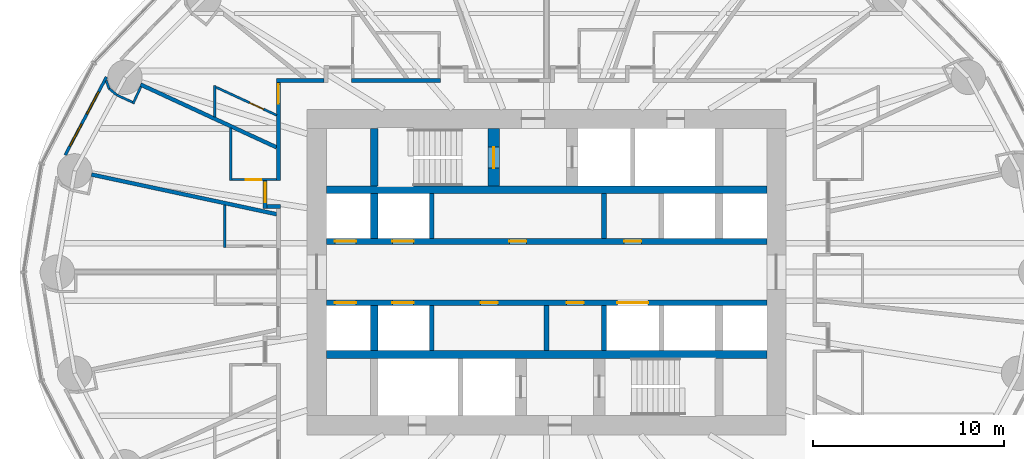
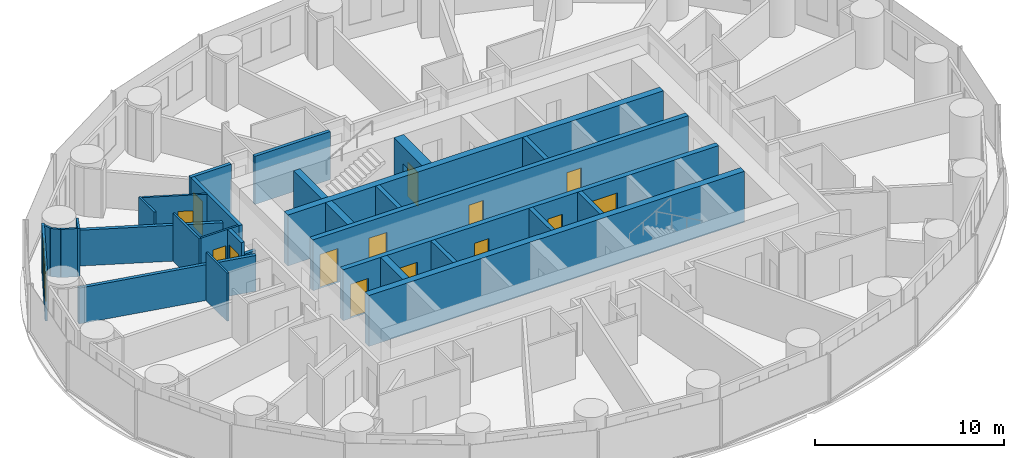
# One storey, part 8 of 14: 30 walls, 14 doors, 2 windows, 16 openings.
"""IFC4 building model written with IfcOpenShell, lengths in metres."""

from ifc_helpers import new_model, si_unit, direction, frame, frame_2d, origin, place, context, subcontext, project, spatial, rectangle, extrude, material, layer, layer_set, type_object, element, fill, save


model = new_model("IFC4")

# Units and contexts
model_context = context("Model", 3, precision=1e-05, world=origin(), true_north=direction((0.0, 1.0)))
body_context = subcontext(model_context, "Body", "Model", "MODEL_VIEW")
ifc_project = project(units=[si_unit("LENGTHUNIT", "METRE"), si_unit("AREAUNIT", "SQUARE_METRE"), si_unit("VOLUMEUNIT", "CUBIC_METRE"), si_unit("PLANEANGLEUNIT", "RADIAN"), si_unit("MASSUNIT", "GRAM", prefix="KILO")], contexts=[model_context])

# Site, building, storey
site_placement = place(None, origin())
site = spatial("IfcSite", under=ifc_project, at=site_placement, CompositionType="ELEMENT")
building_placement = place(site_placement, origin())
building = spatial("IfcBuilding", under=site, at=building_placement, Name="Hankou Lantern Tower", CompositionType="ELEMENT")
storey_placement = place(building_placement, frame((0.0, 0.0, 32.699951171875)))
storey = spatial("IfcBuildingStorey", under=building, at=storey_placement, Name="L06", CompositionType="ELEMENT", Elevation=32.699951171875)

# Walls
ifc_material_1 = material(Name="Concrete C60", Category="concrete")
ifc_layer_1 = layer(ifc_material_1, 0.39990234375)
ifc_layer_set_1 = layer_set([ifc_layer_1], Name="Concrete C60")
wall_type_1 = type_object("IfcWallType", Name="CW4 CORE CROSS WALL 400", PredefinedType="SHEAR", material=ifc_layer_set_1)
for number, where, z_axis, x_axis, name in (
    (1, (-11.5, 4.300048828125, 0.0), (0.0, 0.0, 1.0), (1.0, 0.0, 0.0), "Core band wall north L06"),
    (2, (-11.5, -4.300048828125, 0.0), (0.0, 0.0, 1.0), (1.0, 0.0, 0.0), "Core band wall south L06"),
):
    element("IfcWall", number, at=place(storey_placement, frame(where, z_axis=z_axis, x_axis=x_axis)), inside=storey, type_object=wall_type_1, Name=name, PredefinedType="SHEAR", context=body_context, shape_type="SweptSolid", body=[
        extrude(rectangle(XDim=23.0, YDim=0.39990234375, at=frame_2d((11.5, 0.0))), origin(), (0.0, 0.0, 1.0), 3.300048828125),
    ])
wall_1_placement = place(storey_placement, frame((-9.0, 4.5, 0.0), z_axis=(0.0, 0.0, 1.0), x_axis=(0.0, 1.0, 0.0)))
element("IfcWall", 3, at=wall_1_placement, inside=storey, type_object=wall_type_1, Name="Core strip wall L06", PredefinedType="SHEAR", context=body_context, shape_type="SweptSolid", body=[
    extrude(rectangle(XDim=3.0, YDim=0.39990234375, at=frame_2d((1.5, 0.0))), origin(), (0.0, 0.0, 1.0), 3.300048828125),
])
for number, where, z_axis, x_axis, name in (
    (4, (-9.0, 1.75, 0.0), (0.0, 0.0, 1.0), (0.0, 1.0, 0.0), "Core strip wall L06"),
    (5, (-9.0, -4.10009765625, 0.0), (0.0, 0.0, 1.0), (0.0, 1.0, 0.0), "Core strip wall L06"),
):
    element("IfcWall", number, at=place(storey_placement, frame(where, z_axis=z_axis, x_axis=x_axis)), inside=storey, type_object=wall_type_1, Name=name, PredefinedType="SHEAR", context=body_context, shape_type="SweptSolid", body=[
        extrude(rectangle(XDim=2.35009765625, YDim=0.39990234375, at=frame_2d((1.175048828125, 0.0))), origin(), (0.0, 0.0, 1.0), 3.300048828125),
    ])

# Wall, openings, doors
ifc_material_2 = material(Name="Concrete C60", Category="concrete")
ifc_layer_2 = layer(ifc_material_2, 0.300048828125)
ifc_layer_set_2 = layer_set([ifc_layer_2], Name="Concrete C60")
wall_type_2 = type_object("IfcWallType", Name="CW5 LIFT LOBBY WALL 300", PredefinedType="SHEAR", material=ifc_layer_set_2)
wall_2_placement = place(storey_placement, frame((-11.5, 1.60009765625, 0.0), z_axis=(0.0, 0.0, 1.0), x_axis=(1.0, 0.0, 0.0)))
wall_2 = element("IfcWall", 6, at=wall_2_placement, inside=storey, type_object=wall_type_2, Name="Lift lobby wall north L06", PredefinedType="SHEAR", context=body_context, shape_type="SweptSolid", body=[
    extrude(rectangle(XDim=23.0, YDim=0.300048828125, at=frame_2d((11.5, 0.0))), origin(), (0.0, 0.0, 1.0), 3.300048828125),
])
opening_1_placement = place(wall_2_placement, frame((0.449951171875, 0.0, 0.0)))
opening_1 = element("IfcOpeningElement", 7, at=opening_1_placement, cuts=wall_2, Name="Opening LD1", PredefinedType="OPENING", context=body_context, shape_type="SweptSolid", body=[
    extrude(rectangle(XDim=1.10009765625, YDim=2.199951171875, at=frame_2d((0.550048828125, 1.10009765625))), frame((0.0, 0.159912109375, 0.0), z_axis=(0.0, -1.0, 0.0), x_axis=(1.0, 0.0, 0.0)), (0.0, 0.0, 1.0), 0.320068359375),
])
opening_2_placement = place(wall_2_placement, frame((3.449951171875, 0.0, 0.0)))
opening_2 = element("IfcOpeningElement", 8, at=opening_2_placement, cuts=wall_2, Name="Opening LD1", PredefinedType="OPENING", context=body_context, shape_type="SweptSolid", body=[
    extrude(rectangle(XDim=1.10009765625, YDim=2.199951171875, at=frame_2d((0.550048828125, 1.10009765625))), frame((0.0, 0.159912109375, 0.0), z_axis=(0.0, -1.0, 0.0), x_axis=(1.0, 0.0, 0.0)), (0.0, 0.0, 1.0), 0.320068359375),
])
opening_3_placement = place(wall_2_placement, frame((9.550048828125, 0.0, 0.0)))
opening_3 = element("IfcOpeningElement", 9, at=opening_3_placement, cuts=wall_2, Name="Opening D30", PredefinedType="OPENING", context=body_context, shape_type="SweptSolid", body=[
    extrude(rectangle(XDim=0.89990234375, YDim=2.199951171875, at=frame_2d((0.449951171875, 1.10009765625))), frame((0.0, 0.159912109375, 0.0), z_axis=(0.0, -1.0, 0.0), x_axis=(1.0, 0.0, 0.0)), (0.0, 0.0, 1.0), 0.320068359375),
])
opening_4_placement = place(wall_2_placement, frame((15.550048828125, 0.0, 0.0)))
opening_4 = element("IfcOpeningElement", 10, at=opening_4_placement, cuts=wall_2, Name="Opening D30", PredefinedType="OPENING", context=body_context, shape_type="SweptSolid", body=[
    extrude(rectangle(XDim=0.89990234375, YDim=2.199951171875, at=frame_2d((0.449951171875, 1.10009765625))), frame((0.0, 0.159912109375, 0.0), z_axis=(0.0, -1.0, 0.0), x_axis=(1.0, 0.0, 0.0)), (0.0, 0.0, 1.0), 0.320068359375),
])
ifc_material_3 = material(Name="Steel door leaf", Category="steel")
door_type_1 = type_object("IfcDoorType", Name="D30 CORE ROOM DOOR 900X2200", OperationType="SINGLE_SWING_LEFT", PredefinedType="DOOR", material=ifc_material_3)
door_1_placement = place(opening_3_placement, origin())
door_1 = element("IfcDoor", 11, at=door_1_placement, inside=storey, type_object=door_type_1, Name="Cleaner's store door", OperationType="SINGLE_SWING_LEFT", OverallHeight=2.199951171875, OverallWidth=0.89990234375, PredefinedType="DOOR", context=body_context, shape_type="SweptSolid", body=[
    extrude(rectangle(XDim=0.89990234375, YDim=2.199951171875, at=frame_2d((0.449951171875, 1.10009765625))), frame((0.0, 0.02490234375, 0.0), z_axis=(0.0, -1.0, 0.0), x_axis=(1.0, 0.0, 0.0)), (0.0, 0.0, 1.0), 0.050048828125),
])
fill(opening_3, door_1)
door_2_placement = place(opening_4_placement, origin())
door_2 = element("IfcDoor", 12, at=door_2_placement, inside=storey, type_object=door_type_1, Name="Minibar store door", OperationType="SINGLE_SWING_RIGHT", OverallHeight=2.199951171875, OverallWidth=0.89990234375, PredefinedType="DOOR", context=body_context, shape_type="SweptSolid", body=[
    extrude(rectangle(XDim=0.89990234375, YDim=2.199951171875, at=frame_2d((0.449951171875, 1.10009765625))), frame((0.0, 0.02490234375, 0.0), z_axis=(0.0, -1.0, 0.0), x_axis=(1.0, 0.0, 0.0)), (0.0, 0.0, 1.0), 0.050048828125),
])
fill(opening_4, door_2)
ifc_material_4 = material(Name="Steel door leaf", Category="steel")
door_type_2 = type_object("IfcDoorType", Name="LD1 LIFT LANDING DOOR 1100X2200", OperationType="DOUBLE_DOOR_SLIDING", PredefinedType="DOOR", material=ifc_material_4)
door_3_placement = place(opening_1_placement, origin())
door_3 = element("IfcDoor", 13, at=door_3_placement, inside=storey, type_object=door_type_2, Name="Lift L1 landing door", OperationType="DOUBLE_DOOR_SLIDING", OverallHeight=2.199951171875, OverallWidth=1.10009765625, PredefinedType="DOOR", context=body_context, shape_type="SweptSolid", body=[
    extrude(rectangle(XDim=1.10009765625, YDim=2.199951171875, at=frame_2d((0.550048828125, 1.10009765625))), frame((0.0, 0.02490234375, 0.0), z_axis=(0.0, -1.0, 0.0), x_axis=(1.0, 0.0, 0.0)), (0.0, 0.0, 1.0), 0.050048828125),
])
fill(opening_1, door_3)
door_4_placement = place(opening_2_placement, origin())
door_4 = element("IfcDoor", 14, at=door_4_placement, inside=storey, type_object=door_type_2, Name="Lift L2 landing door", OperationType="DOUBLE_DOOR_SLIDING", OverallHeight=2.199951171875, OverallWidth=1.10009765625, PredefinedType="DOOR", context=body_context, shape_type="SweptSolid", body=[
    extrude(rectangle(XDim=1.10009765625, YDim=2.199951171875, at=frame_2d((0.550048828125, 1.10009765625))), frame((0.0, 0.02490234375, 0.0), z_axis=(0.0, -1.0, 0.0), x_axis=(1.0, 0.0, 0.0)), (0.0, 0.0, 1.0), 0.050048828125),
])
fill(opening_2, door_4)

wall_3_placement = place(storey_placement, frame((-11.5, -1.60009765625, 0.0), z_axis=(0.0, 0.0, 1.0), x_axis=(1.0, 0.0, 0.0)))
wall_3 = element("IfcWall", 15, at=wall_3_placement, inside=storey, type_object=wall_type_2, Name="Lift lobby wall south L06", PredefinedType="SHEAR", context=body_context, shape_type="SweptSolid", body=[
    extrude(rectangle(XDim=23.0, YDim=0.300048828125, at=frame_2d((11.5, 0.0))), origin(), (0.0, 0.0, 1.0), 3.300048828125),
])
opening_5_placement = place(wall_3_placement, frame((0.449951171875, 0.0, 0.0)))
opening_5 = element("IfcOpeningElement", 16, at=opening_5_placement, cuts=wall_3, Name="Opening LD1", PredefinedType="OPENING", context=body_context, shape_type="SweptSolid", body=[
    extrude(rectangle(XDim=1.10009765625, YDim=2.199951171875, at=frame_2d((0.550048828125, 1.10009765625))), frame((0.0, 0.159912109375, 0.0), z_axis=(0.0, -1.0, 0.0), x_axis=(1.0, 0.0, 0.0)), (0.0, 0.0, 1.0), 0.320068359375),
])
opening_6_placement = place(wall_3_placement, frame((3.449951171875, 0.0, 0.0)))
opening_6 = element("IfcOpeningElement", 17, at=opening_6_placement, cuts=wall_3, Name="Opening LD1", PredefinedType="OPENING", context=body_context, shape_type="SweptSolid", body=[
    extrude(rectangle(XDim=1.10009765625, YDim=2.199951171875, at=frame_2d((0.550048828125, 1.10009765625))), frame((0.0, 0.159912109375, 0.0), z_axis=(0.0, -1.0, 0.0), x_axis=(1.0, 0.0, 0.0)), (0.0, 0.0, 1.0), 0.320068359375),
])
opening_7_placement = place(wall_3_placement, frame((15.199951171875, 0.0, 0.0)))
opening_7 = element("IfcOpeningElement", 18, at=opening_7_placement, cuts=wall_3, Name="Opening LD4", PredefinedType="OPENING", context=body_context, shape_type="SweptSolid", body=[
    extrude(rectangle(XDim=1.60009765625, YDim=2.39990234375, at=frame_2d((0.800048828125, 1.199951171875))), frame((0.0, 0.159912109375, 0.0), z_axis=(0.0, -1.0, 0.0), x_axis=(1.0, 0.0, 0.0)), (0.0, 0.0, 1.0), 0.320068359375),
])
opening_8_placement = place(wall_3_placement, frame((8.050048828125, 0.0, 0.0)))
opening_8 = element("IfcOpeningElement", 19, at=opening_8_placement, cuts=wall_3, Name="Opening D30", PredefinedType="OPENING", context=body_context, shape_type="SweptSolid", body=[
    extrude(rectangle(XDim=0.89990234375, YDim=2.199951171875, at=frame_2d((0.449951171875, 1.10009765625))), frame((0.0, 0.159912109375, 0.0), z_axis=(0.0, -1.0, 0.0), x_axis=(1.0, 0.0, 0.0)), (0.0, 0.0, 1.0), 0.320068359375),
])
opening_9_placement = place(wall_3_placement, frame((12.550048828125, 0.0, 0.0)))
opening_9 = element("IfcOpeningElement", 20, at=opening_9_placement, cuts=wall_3, Name="Opening D30", PredefinedType="OPENING", context=body_context, shape_type="SweptSolid", body=[
    extrude(rectangle(XDim=0.89990234375, YDim=2.199951171875, at=frame_2d((0.449951171875, 1.10009765625))), frame((0.0, 0.159912109375, 0.0), z_axis=(0.0, -1.0, 0.0), x_axis=(1.0, 0.0, 0.0)), (0.0, 0.0, 1.0), 0.320068359375),
])
door_5_placement = place(opening_8_placement, origin())
door_5 = element("IfcDoor", 21, at=door_5_placement, inside=storey, type_object=door_type_1, Name="Guest pantry and ice room door", OperationType="SINGLE_SWING_LEFT", OverallHeight=2.199951171875, OverallWidth=0.89990234375, PredefinedType="DOOR", context=body_context, shape_type="SweptSolid", body=[
    extrude(rectangle(XDim=0.89990234375, YDim=2.199951171875, at=frame_2d((0.449951171875, 1.10009765625))), frame((0.0, 0.02490234375, 0.0), z_axis=(0.0, -1.0, 0.0), x_axis=(1.0, 0.0, 0.0)), (0.0, 0.0, 1.0), 0.050048828125),
])
fill(opening_8, door_5)
door_6_placement = place(opening_9_placement, origin())
door_6 = element("IfcDoor", 22, at=door_6_placement, inside=storey, type_object=door_type_1, Name="Housekeeping and linen store door", OperationType="SINGLE_SWING_RIGHT", OverallHeight=2.199951171875, OverallWidth=0.89990234375, PredefinedType="DOOR", context=body_context, shape_type="SweptSolid", body=[
    extrude(rectangle(XDim=0.89990234375, YDim=2.199951171875, at=frame_2d((0.449951171875, 1.10009765625))), frame((0.0, 0.02490234375, 0.0), z_axis=(0.0, -1.0, 0.0), x_axis=(1.0, 0.0, 0.0)), (0.0, 0.0, 1.0), 0.050048828125),
])
fill(opening_9, door_6)
door_7_placement = place(opening_5_placement, origin())
door_7 = element("IfcDoor", 23, at=door_7_placement, inside=storey, type_object=door_type_2, Name="Lift L3 landing door", OperationType="DOUBLE_DOOR_SLIDING", OverallHeight=2.199951171875, OverallWidth=1.10009765625, PredefinedType="DOOR", context=body_context, shape_type="SweptSolid", body=[
    extrude(rectangle(XDim=1.10009765625, YDim=2.199951171875, at=frame_2d((0.550048828125, 1.10009765625))), frame((0.0, 0.02490234375, 0.0), z_axis=(0.0, -1.0, 0.0), x_axis=(1.0, 0.0, 0.0)), (0.0, 0.0, 1.0), 0.050048828125),
])
fill(opening_5, door_7)
door_8_placement = place(opening_6_placement, origin())
door_8 = element("IfcDoor", 24, at=door_8_placement, inside=storey, type_object=door_type_2, Name="Lift L4 landing door", OperationType="DOUBLE_DOOR_SLIDING", OverallHeight=2.199951171875, OverallWidth=1.10009765625, PredefinedType="DOOR", context=body_context, shape_type="SweptSolid", body=[
    extrude(rectangle(XDim=1.10009765625, YDim=2.199951171875, at=frame_2d((0.550048828125, 1.10009765625))), frame((0.0, 0.02490234375, 0.0), z_axis=(0.0, -1.0, 0.0), x_axis=(1.0, 0.0, 0.0)), (0.0, 0.0, 1.0), 0.050048828125),
])
fill(opening_6, door_8)
ifc_material_5 = material(Name="Steel door leaf", Category="steel")
door_type_3 = type_object("IfcDoorType", Name="LD4 SERVICE LIFT LANDING DOOR 1600X2400", OperationType="DOUBLE_DOOR_SLIDING", PredefinedType="DOOR", material=ifc_material_5)
door_9_placement = place(opening_7_placement, origin())
door_9 = element("IfcDoor", 25, at=door_9_placement, inside=storey, type_object=door_type_3, Name="Lift SV1 landing door", OperationType="DOUBLE_DOOR_SLIDING", OverallHeight=2.39990234375, OverallWidth=1.60009765625, PredefinedType="DOOR", context=body_context, shape_type="SweptSolid", body=[
    extrude(rectangle(XDim=1.60009765625, YDim=2.39990234375, at=frame_2d((0.800048828125, 1.199951171875))), frame((0.0, 0.02490234375, 0.0), z_axis=(0.0, -1.0, 0.0), x_axis=(1.0, 0.0, 0.0)), (0.0, 0.0, 1.0), 0.050048828125),
])
fill(opening_7, door_9)

# Wall, opening, door
ifc_material_6 = material(Name="Concrete C60", Category="concrete")
ifc_layer_3 = layer(ifc_material_6, 0.60009765625)
ifc_layer_set_3 = layer_set([ifc_layer_3], Name="Concrete C60")
wall_type_3 = type_object("IfcWallType", Name="CW6 STAIR AND SHAFT WALL 600", PredefinedType="SHEAR", material=ifc_layer_set_3)
wall_4_placement = place(storey_placement, frame((-2.75, 4.5, 0.0), z_axis=(0.0, 0.0, 1.0), x_axis=(0.0, 1.0, 0.0)))
wall_4 = element("IfcWall", 26, at=wall_4_placement, inside=storey, type_object=wall_type_3, Name="Stair wall L06", PredefinedType="SHEAR", context=body_context, shape_type="SweptSolid", body=[
    extrude(rectangle(XDim=3.0, YDim=0.60009765625, at=frame_2d((1.5, 0.0))), origin(), (0.0, 0.0, 1.0), 3.300048828125),
])
opening_10_placement = place(wall_4_placement, frame((0.925048828125, 0.0, 0.0)))
opening_10 = element("IfcOpeningElement", 27, at=opening_10_placement, cuts=wall_4, Name="Opening D4", PredefinedType="OPENING", context=body_context, shape_type="SweptSolid", body=[
    extrude(rectangle(XDim=1.10009765625, YDim=2.199951171875, at=frame_2d((0.550048828125, 1.10009765625))), frame((0.0, 0.31005859375, 0.0), z_axis=(0.0, -1.0, 0.0), x_axis=(1.0, 0.0, 0.0)), (0.0, 0.0, 1.0), 0.6201171875),
])
ifc_material_7 = material(Name="Steel door leaf", Category="steel")
door_type_4 = type_object("IfcDoorType", Name="D4 STAIR DOOR 1100X2200", OperationType="SINGLE_SWING_LEFT", PredefinedType="DOOR", material=ifc_material_7)
door_10_placement = place(opening_10_placement, origin())
door_10 = element("IfcDoor", 28, at=door_10_placement, inside=storey, type_object=door_type_4, Name="Stair A door", OperationType="SINGLE_SWING_LEFT", OverallHeight=2.199951171875, OverallWidth=1.10009765625, PredefinedType="DOOR", context=body_context, shape_type="SweptSolid", body=[
    extrude(rectangle(XDim=1.10009765625, YDim=2.199951171875, at=frame_2d((0.550048828125, 1.10009765625))), frame((0.0, 0.02490234375, 0.0), z_axis=(0.0, -1.0, 0.0), x_axis=(1.0, 0.0, 0.0)), (0.0, 0.0, 1.0), 0.050048828125),
])
fill(opening_10, door_10)

# Wall, openings, windows
ifc_material_8 = material(Name="Aluminium spandrel panel on steel studs", Category="steel")
ifc_layer_4 = layer(ifc_material_8, 0.14990234375)
ifc_layer_set_4 = layer_set([ifc_layer_4], Name="Aluminium spandrel panel on steel studs")
wall_type_4 = type_object("IfcWallType", Name="EW1 INNER SKIN WALL 150", PredefinedType="ELEMENTEDWALL", material=ifc_layer_set_4)
wall_5_placement = place(storey_placement, frame((-22.986083984375, 10.185302734375, 0.0), z_axis=(0.0, 0.0, 1.0), x_axis=(-0.467303182954, -0.884097129959, 0.0)))
wall_5 = element("IfcWall", 29, at=wall_5_placement, inside=storey, type_object=wall_type_4, Name="Inner skin R11-R12 L06", PredefinedType="ELEMENTEDWALL", context=body_context, shape_type="SweptSolid", body=[
    extrude(rectangle(XDim=4.6064453125, YDim=0.14990234375, at=frame_2d((2.30322265625, 0.0))), origin(), (0.0, 0.0, 1.0), 3.1201171875),
])
opening_11_placement = place(wall_5_placement, frame((0.874755859375, 0.0, 0.89990234375)))
opening_11 = element("IfcOpeningElement", 30, at=opening_11_placement, cuts=wall_5, Name="Opening W9", PredefinedType="OPENING", context=body_context, shape_type="SweptSolid", body=[
    extrude(rectangle(XDim=1.300048828125, YDim=1.89990234375, at=frame_2d((0.64990234375, 0.949951171875))), frame((0.0, 0.0849609375, 0.0), z_axis=(0.0, -1.0, 0.0), x_axis=(1.0, 0.0, 0.0)), (0.0, 0.0, 1.0), 0.169921875),
])
opening_12_placement = place(wall_5_placement, frame((2.77490234375, 0.0, 0.89990234375)))
opening_12 = element("IfcOpeningElement", 31, at=opening_12_placement, cuts=wall_5, Name="Opening W9", PredefinedType="OPENING", context=body_context, shape_type="SweptSolid", body=[
    extrude(rectangle(XDim=1.300048828125, YDim=1.89990234375, at=frame_2d((0.64990234375, 0.949951171875))), frame((0.0, 0.0849609375, 0.0), z_axis=(0.0, -1.0, 0.0), x_axis=(1.0, 0.0, 0.0)), (0.0, 0.0, 1.0), 0.169921875),
])
ifc_material_9 = material(Name="Aluminium framed double glazed window", Category="aluminium")
window_type = type_object("IfcWindowType", Name="W9 GUEST ROOM WINDOW 1300X1900", PartitioningType="DOUBLE_PANEL_VERTICAL", PredefinedType="WINDOW", material=ifc_material_9)
window_1_placement = place(opening_11_placement, origin())
window_1 = element("IfcWindow", 32, at=window_1_placement, inside=storey, type_object=window_type, Name="Window R11.1 L06", OverallHeight=1.89990234375, OverallWidth=1.300048828125, PartitioningType="SINGLE_PANEL", PredefinedType="WINDOW", context=body_context, shape_type="SweptSolid", body=[
    extrude(rectangle(XDim=1.300048828125, YDim=1.89990234375, at=frame_2d((0.64990234375, 0.949951171875))), frame((0.0, 0.030029296875, 0.0), z_axis=(0.0, -1.0, 0.0), x_axis=(1.0, 0.0, 0.0)), (0.0, 0.0, 1.0), 0.06005859375),
])
fill(opening_11, window_1)
window_2_placement = place(opening_12_placement, origin())
window_2 = element("IfcWindow", 33, at=window_2_placement, inside=storey, type_object=window_type, Name="Window R11.2 L06", OverallHeight=1.89990234375, OverallWidth=1.300048828125, PartitioningType="SINGLE_PANEL", PredefinedType="WINDOW", context=body_context, shape_type="SweptSolid", body=[
    extrude(rectangle(XDim=1.300048828125, YDim=1.89990234375, at=frame_2d((0.64990234375, 0.949951171875))), frame((0.0, 0.030029296875, 0.0), z_axis=(0.0, -1.0, 0.0), x_axis=(1.0, 0.0, 0.0)), (0.0, 0.0, 1.0), 0.06005859375),
])
fill(opening_12, window_2)

# Walls
ifc_material_10 = material(Name="Masonry lightweight concrete block", Category="masonry")
ifc_layer_5 = layer(ifc_material_10, 0.199951171875)
ifc_layer_set_5 = layer_set([ifc_layer_5], Name="Masonry lightweight concrete block")
wall_type_5 = type_object("IfcWallType", Name="IW1 GUEST ROOM PARTY WALL 200", PredefinedType="PARTITIONING", material=ifc_layer_set_5)
wall_6_placement = place(storey_placement, frame((-14.10009765625, 6.512451171875, 0.0), z_axis=(0.0, 0.0, 1.0), x_axis=(-0.907842433118, 0.41931147925, 0.0)))
element("IfcWall", 34, at=wall_6_placement, inside=storey, type_object=wall_type_5, Name="Party wall R11", PredefinedType="PARTITIONING", context=body_context, shape_type="SweptSolid", body=[
    extrude(rectangle(XDim=7.822998046875, YDim=0.199951171875, at=frame_2d((3.91162109375, 0.0))), origin(), (0.0, 0.0, 1.0), 2.320068359375),
])
wall_7_placement = place(storey_placement, frame((-14.10009765625, 3.0224609375, 0.0), z_axis=(0.0, 0.0, 1.0), x_axis=(-0.977786510688, 0.209603290805, 0.0)))
element("IfcWall", 35, at=wall_7_placement, inside=storey, type_object=wall_type_5, Name="Party wall R12", PredefinedType="PARTITIONING", context=body_context, shape_type="SweptSolid", body=[
    extrude(rectangle(XDim=9.88671875, YDim=0.199951171875, at=frame_2d((4.943359375, 0.0))), origin(), (0.0, 0.0, 1.0), 2.320068359375),
])

# Wall, opening, door
ifc_material_11 = material(Name="Masonry lightweight concrete block", Category="masonry")
ifc_layer_6 = layer(ifc_material_11, 0.199951171875)
ifc_layer_set_6 = layer_set([ifc_layer_6], Name="Masonry lightweight concrete block")
wall_type_6 = type_object("IfcWallType", Name="IW2 CORRIDOR WALL 200", PredefinedType="PARTITIONING", material=ifc_layer_set_6)
wall_8_placement = place(storey_placement, frame((-14.699951171875, 4.7724609375, 0.0), z_axis=(0.0, 0.0, 1.0), x_axis=(0.0, -1.0, 0.0)))
wall_8 = element("IfcWall", 36, at=wall_8_placement, inside=storey, type_object=wall_type_6, Name="Corridor recess wall 0613 back", PredefinedType="PARTITIONING", context=body_context, shape_type="SweptSolid", body=[
    extrude(rectangle(XDim=1.43994140625, YDim=0.199951171875, at=frame_2d((0.719970703125, 0.0))), origin(), (0.0, 0.0, 1.0), 3.1201171875),
])
opening_13_placement = place(wall_8_placement, frame((0.1201171875, 0.0, 0.0)))
opening_13 = element("IfcOpeningElement", 37, at=opening_13_placement, cuts=wall_8, Name="Opening D1", PredefinedType="OPENING", context=body_context, shape_type="SweptSolid", body=[
    extrude(rectangle(XDim=1.0, YDim=2.199951171875, at=frame_2d((0.5, 1.10009765625))), frame((0.0, 0.10986328125, 0.0), z_axis=(0.0, -1.0, 0.0), x_axis=(1.0, 0.0, 0.0)), (0.0, 0.0, 1.0), 0.219970703125),
])
ifc_material_12 = material(Name="Steel door leaf", Category="steel")
door_type_5 = type_object("IfcDoorType", Name="D1 GUEST ROOM DOOR 1000X2200", OperationType="SINGLE_SWING_LEFT", PredefinedType="DOOR", material=ifc_material_12)
door_11_placement = place(opening_13_placement, origin())
door_11 = element("IfcDoor", 38, at=door_11_placement, inside=storey, type_object=door_type_5, Name="Guest room door 0613", OperationType="SINGLE_SWING_LEFT", OverallHeight=2.199951171875, OverallWidth=1.0, PredefinedType="DOOR", context=body_context, shape_type="SweptSolid", body=[
    extrude(rectangle(XDim=1.0, YDim=2.199951171875, at=frame_2d((0.5, 1.10009765625))), frame((0.0, 0.02490234375, 0.0), z_axis=(0.0, -1.0, 0.0), x_axis=(1.0, 0.0, 0.0)), (0.0, 0.0, 1.0), 0.050048828125),
])
fill(opening_13, door_11)

# Walls
wall_9_placement = place(storey_placement, frame((-13.89990234375, 3.4326171875, 0.0), z_axis=(0.0, 0.0, 1.0), x_axis=(-1.0, 0.0, 0.0)))
element("IfcWall", 39, at=wall_9_placement, inside=storey, type_object=wall_type_6, Name="Corridor recess wall 0613 side", PredefinedType="PARTITIONING", context=body_context, shape_type="SweptSolid", body=[
    extrude(rectangle(XDim=0.7001953125, YDim=0.199951171875, at=frame_2d((0.35009765625, 0.0))), origin(), (0.0, 0.0, 1.0), 2.320068359375),
])
wall_10_placement = place(storey_placement, frame((-14.10009765625, 10.0, 0.0), z_axis=(0.0, 0.0, 1.0), x_axis=(1.0, 0.0, 0.0)))
element("IfcWall", 40, at=wall_10_placement, inside=storey, type_object=wall_type_6, Name="Corridor wall north", PredefinedType="PARTITIONING", context=body_context, shape_type="SweptSolid", body=[
    extrude(rectangle(XDim=2.48095703125, YDim=0.199951171875, at=frame_2d((1.240478515625, 0.0))), origin(), (0.0, 0.0, 1.0), 3.1201171875),
])
wall_11_placement = place(storey_placement, frame((-10.178955078125, 10.0, 0.0), z_axis=(0.0, 0.0, 1.0), x_axis=(1.0, 0.0, 0.0)))
element("IfcWall", 41, at=wall_11_placement, inside=storey, type_object=wall_type_6, Name="Corridor wall north", PredefinedType="PARTITIONING", context=body_context, shape_type="SweptSolid", body=[
    extrude(rectangle(XDim=4.6298828125, YDim=0.199951171875, at=frame_2d((2.31494140625, 0.0))), origin(), (0.0, 0.0, 1.0), 3.1201171875),
])

# Wall, opening, door
wall_12_placement = place(storey_placement, frame((-14.0, 9.89990234375, 0.0), z_axis=(0.0, 0.0, 1.0), x_axis=(0.0, -1.0, 0.0)))
wall_12 = element("IfcWall", 42, at=wall_12_placement, inside=storey, type_object=wall_type_6, Name="Corridor wall west", PredefinedType="PARTITIONING", context=body_context, shape_type="SweptSolid", body=[
    extrude(rectangle(XDim=5.12744140625, YDim=0.199951171875, at=frame_2d((2.563720703125, 0.0))), origin(), (0.0, 0.0, 1.0), 3.1201171875),
])
opening_14_placement = place(wall_12_placement, frame((0.1025390625, 0.0, 0.0)))
opening_14 = element("IfcOpeningElement", 43, at=opening_14_placement, cuts=wall_12, Name="Opening D1", PredefinedType="OPENING", context=body_context, shape_type="SweptSolid", body=[
    extrude(rectangle(XDim=1.0, YDim=2.199951171875, at=frame_2d((0.5, 1.10009765625))), frame((0.0, 0.10986328125, 0.0), z_axis=(0.0, -1.0, 0.0), x_axis=(1.0, 0.0, 0.0)), (0.0, 0.0, 1.0), 0.219970703125),
])
door_12_placement = place(opening_14_placement, origin())
door_12 = element("IfcDoor", 44, at=door_12_placement, inside=storey, type_object=door_type_5, Name="Guest room door 0612", OperationType="SINGLE_SWING_LEFT", OverallHeight=2.199951171875, OverallWidth=1.0, PredefinedType="DOOR", context=body_context, shape_type="SweptSolid", body=[
    extrude(rectangle(XDim=1.0, YDim=2.199951171875, at=frame_2d((0.5, 1.10009765625))), frame((0.0, 0.02490234375, 0.0), z_axis=(0.0, -1.0, 0.0), x_axis=(1.0, 0.0, 0.0)), (0.0, 0.0, 1.0), 0.050048828125),
])
fill(opening_14, door_12)

# Wall
ifc_material_13 = material(Name="Masonry lightweight concrete block", Category="masonry")
ifc_layer_7 = layer(ifc_material_13, 0.1201171875)
ifc_layer_set_7 = layer_set([ifc_layer_7], Name="Masonry lightweight concrete block")
wall_type_7 = type_object("IfcWallType", Name="IW3 BATHROOM WALL 120", PredefinedType="PARTITIONING", material=ifc_layer_set_7)
wall_13_placement = place(storey_placement, frame((-17.32275390625, 8.10107421875, 0.0), z_axis=(0.0, 0.0, 1.0), x_axis=(0.0, 1.0, 0.0)))
element("IfcWall", 45, at=wall_13_placement, inside=storey, type_object=wall_type_7, Name="Box wall 0612 1", PredefinedType="PARTITIONING", context=body_context, shape_type="SweptSolid", body=[
    extrude(rectangle(XDim=1.639892578125, YDim=0.1201171875, at=frame_2d((0.81982421875, 0.0))), origin(), (0.0, 0.0, 1.0), 3.1201171875),
])

# Wall, opening, door
wall_14_placement = place(storey_placement, frame((-14.10009765625, 8.192626953125, 0.0), z_axis=(0.0, 0.0, 1.0), x_axis=(-0.907836493557, 0.419324338628, 0.0)))
wall_14 = element("IfcWall", 46, at=wall_14_placement, inside=storey, type_object=wall_type_7, Name="Box wall 0612 1", PredefinedType="PARTITIONING", context=body_context, shape_type="SweptSolid", body=[
    extrude(rectangle(XDim=3.48974609375, YDim=0.1201171875, at=frame_2d((1.744873046875, 0.0))), origin(), (0.0, 0.0, 1.0), 3.1201171875),
])
opening_15_placement = place(wall_14_placement, frame((0.75, 0.0, 0.0)))
opening_15 = element("IfcOpeningElement", 47, at=opening_15_placement, cuts=wall_14, Name="Opening D3", PredefinedType="OPENING", context=body_context, shape_type="SweptSolid", body=[
    extrude(rectangle(XDim=0.800048828125, YDim=2.10009765625, at=frame_2d((0.39990234375, 1.050048828125))), frame((0.0, 0.070068359375, 0.0), z_axis=(0.0, -1.0, 0.0), x_axis=(1.0, 0.0, 0.0)), (0.0, 0.0, 1.0), 0.14013671875),
])
ifc_material_14 = material(Name="Timber door leaf", Category="wood")
door_type_6 = type_object("IfcDoorType", Name="D3 BATHROOM DOOR 800X2100", OperationType="SINGLE_SWING_LEFT", PredefinedType="DOOR", material=ifc_material_14)
door_13_placement = place(opening_15_placement, origin())
door_13 = element("IfcDoor", 48, at=door_13_placement, inside=storey, type_object=door_type_6, Name="En-suite bathroom 0612 door", OperationType="SINGLE_SWING_LEFT", OverallHeight=2.10009765625, OverallWidth=0.800048828125, PredefinedType="DOOR", context=body_context, shape_type="SweptSolid", body=[
    extrude(rectangle(XDim=0.800048828125, YDim=2.10009765625, at=frame_2d((0.39990234375, 1.050048828125))), frame((0.0, 0.02490234375, 0.0), z_axis=(0.0, -1.0, 0.0), x_axis=(1.0, 0.0, 0.0)), (0.0, 0.0, 1.0), 0.050048828125),
])
fill(opening_15, door_13)

# Wall
wall_15_placement = place(storey_placement, frame((-16.5, 7.52099609375, 0.0), z_axis=(0.0, 0.0, 1.0), x_axis=(0.0, -1.0, 0.0)))
element("IfcWall", 49, at=wall_15_placement, inside=storey, type_object=wall_type_7, Name="Box wall 0613 1", PredefinedType="PARTITIONING", context=body_context, shape_type="SweptSolid", body=[
    extrude(rectangle(XDim=2.74853515625, YDim=0.1201171875, at=frame_2d((1.374267578125, 0.0))), origin(), (0.0, 0.0, 1.0), 3.1201171875),
])

# Wall, opening, door
wall_16_placement = place(storey_placement, frame((-14.10009765625, 4.83251953125, 0.0), z_axis=(0.0, 0.0, 1.0), x_axis=(-1.0, 0.0, 0.0)))
wall_16 = element("IfcWall", 50, at=wall_16_placement, inside=storey, type_object=wall_type_7, Name="Box wall 0613 1", PredefinedType="PARTITIONING", context=body_context, shape_type="SweptSolid", body=[
    extrude(rectangle(XDim=2.33984375, YDim=0.1201171875, at=frame_2d((1.169921875, 0.0))), origin(), (0.0, 0.0, 1.0), 3.1201171875),
])
opening_16_placement = place(wall_16_placement, frame((0.800048828125, 0.0, 0.0)))
opening_16 = element("IfcOpeningElement", 51, at=opening_16_placement, cuts=wall_16, Name="Opening D3", PredefinedType="OPENING", context=body_context, shape_type="SweptSolid", body=[
    extrude(rectangle(XDim=0.800048828125, YDim=2.10009765625, at=frame_2d((0.39990234375, 1.050048828125))), frame((0.0, 0.070068359375, 0.0), z_axis=(0.0, -1.0, 0.0), x_axis=(1.0, 0.0, 0.0)), (0.0, 0.0, 1.0), 0.14013671875),
])
door_14_placement = place(opening_16_placement, origin())
door_14 = element("IfcDoor", 52, at=door_14_placement, inside=storey, type_object=door_type_6, Name="En-suite bathroom 0613 door", OperationType="SINGLE_SWING_LEFT", OverallHeight=2.10009765625, OverallWidth=0.800048828125, PredefinedType="DOOR", context=body_context, shape_type="SweptSolid", body=[
    extrude(rectangle(XDim=0.800048828125, YDim=2.10009765625, at=frame_2d((0.39990234375, 1.050048828125))), frame((0.0, 0.02490234375, 0.0), z_axis=(0.0, -1.0, 0.0), x_axis=(1.0, 0.0, 0.0)), (0.0, 0.0, 1.0), 0.050048828125),
])
fill(opening_16, door_14)

# Walls
wall_17_placement = place(storey_placement, frame((-16.800048828125, 3.501220703125, 0.0), z_axis=(0.0, 0.0, 1.0), x_axis=(0.0, -1.0, 0.0)))
element("IfcWall", 53, at=wall_17_placement, inside=storey, type_object=wall_type_7, Name="Box wall 0614 1", PredefinedType="PARTITIONING", context=body_context, shape_type="SweptSolid", body=[
    extrude(rectangle(XDim=2.21875, YDim=0.1201171875, at=frame_2d((1.109375, 0.0))), origin(), (0.0, 0.0, 1.0), 3.1201171875),
])
ifc_material_15 = material(Name="Masonry lightweight concrete block", Category="masonry")
ifc_layer_8 = layer(ifc_material_15, 0.1201171875)
ifc_layer_set_8 = layer_set([ifc_layer_8], Name="Masonry lightweight concrete block")
wall_type_8 = type_object("IfcWallType", Name="IW4 PARTITION 120", PredefinedType="PARTITIONING", material=ifc_layer_set_8)
wall_18_placement = place(storey_placement, frame((-21.189453125, 9.6767578125, 0.0), z_axis=(0.0, 0.0, 1.0), x_axis=(-0.419344098106, -0.907827366509, 0.0)))
element("IfcWall", 54, at=wall_18_placement, inside=storey, type_object=wall_type_8, Name="Column casing R11 return", PredefinedType="PARTITIONING", context=body_context, shape_type="SweptSolid", body=[
    extrude(rectangle(XDim=0.974609375, YDim=0.1201171875, at=frame_2d((0.4873046875, 0.0))), origin(), (0.0, 0.0, 1.0), 3.1201171875),
])
wall_19_placement = place(storey_placement, frame((-21.62744140625, 8.871826171875, 0.0), z_axis=(0.0, 0.0, 1.0), x_axis=(-0.907935564339, 0.419109783957, 0.0)))
element("IfcWall", 55, at=wall_19_placement, inside=storey, type_object=wall_type_8, Name="Column casing R11", PredefinedType="PARTITIONING", context=body_context, shape_type="SweptSolid", body=[
    extrude(rectangle(XDim=0.89990234375, YDim=0.1201171875, at=frame_2d((0.449951171875, 0.0))), origin(), (0.0, 0.0, 1.0), 3.1201171875),
])
wall_20_placement = place(storey_placement, frame((-22.444580078125, 9.2490234375, 0.0), z_axis=(0.0, 0.0, 1.0), x_axis=(-0.768335565584, 0.640047231584, 0.0)))
element("IfcWall", 56, at=wall_20_placement, inside=storey, type_object=wall_type_8, Name="Column casing R11", PredefinedType="PARTITIONING", context=body_context, shape_type="SweptSolid", body=[
    extrude(rectangle(XDim=0.525146484375, YDim=0.1201171875, at=frame_2d((0.2626953125, 0.0))), origin(), (0.0, 0.0, 1.0), 3.1201171875),
])
wall_21_placement = place(storey_placement, frame((-22.84814453125, 9.585205078125, 0.0), z_axis=(0.0, 0.0, 1.0), x_axis=(-0.345267312673, 0.938504386138, 0.0)))
element("IfcWall", 57, at=wall_21_placement, inside=storey, type_object=wall_type_8, Name="Column casing R11", PredefinedType="PARTITIONING", context=body_context, shape_type="SweptSolid", body=[
    extrude(rectangle(XDim=0.439208984375, YDim=0.1201171875, at=frame_2d((0.2197265625, 0.0))), origin(), (0.0, 0.0, 1.0), 3.1201171875),
])
ifc_material_16 = material(Name="Masonry autoclaved aerated concrete block", Category="masonry")
ifc_layer_9 = layer(ifc_material_16, 0.25)
ifc_layer_set_9 = layer_set([ifc_layer_9], Name="Masonry autoclaved aerated concrete block")
wall_type_9 = type_object("IfcWallType", Name="SW1 SHAFT BLOCK WALL 250", PredefinedType="PARTITIONING", material=ifc_layer_set_9)
for number, where, z_axis, x_axis, name in (
    (58, (-6.0, 1.75, 0.0), (0.0, 0.0, 1.0), (0.0, 1.0, 0.0), "Lift shaft wall L06"),
    (59, (3.0, 1.75, 0.0), (0.0, 0.0, 1.0), (0.0, 1.0, 0.0), "Lift shaft wall L06"),
    (60, (-6.0, -4.10009765625, 0.0), (0.0, 0.0, 1.0), (0.0, 1.0, 0.0), "Lift shaft wall L06"),
    (61, (0.0, -4.10009765625, 0.0), (0.0, 0.0, 1.0), (0.0, 1.0, 0.0), "Lift shaft wall L06"),
    (62, (3.0, -4.10009765625, 0.0), (0.0, 0.0, 1.0), (0.0, 1.0, 0.0), "Lift shaft wall L06"),
):
    element("IfcWall", number, at=place(storey_placement, frame(where, z_axis=z_axis, x_axis=x_axis)), inside=storey, type_object=wall_type_9, Name=name, PredefinedType="PARTITIONING", context=body_context, shape_type="SweptSolid", body=[
        extrude(rectangle(XDim=2.35009765625, YDim=0.25, at=frame_2d((1.175048828125, 0.0))), origin(), (0.0, 0.0, 1.0), 3.300048828125),
    ])

save(model, "model.ifc")
